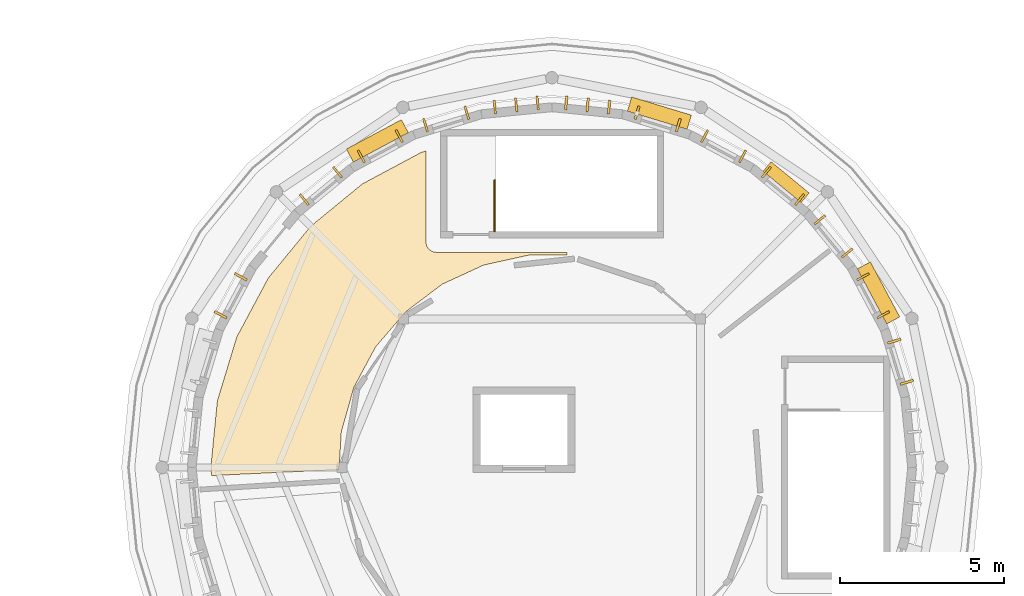
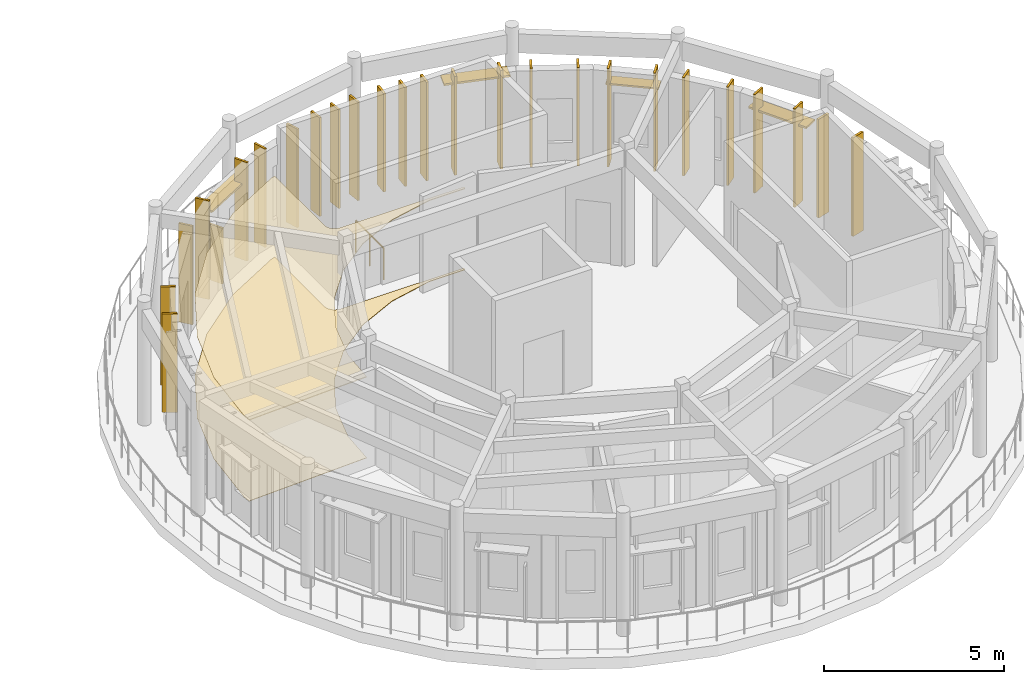
# One storey, part 37 of 37: 30 shading devices, 2 coverings, 1 railing.
"""IFC4 building model written with IfcOpenShell, lengths in metres."""

from ifc_helpers import new_model, si_unit, direction, frame, origin, origin_2d, place, context, subcontext, project, spatial, polyline, rectangle, circle, outline, extrude, material, layer, layer_set, type_object, element, save


model = new_model("IFC4")

# Units and contexts
model_context = context("Model", 3, precision=1e-05, world=origin(), true_north=direction((0.0, 1.0)))
body_context = subcontext(model_context, "Body", "Model", "MODEL_VIEW")
ifc_project = project(units=[si_unit("LENGTHUNIT", "METRE"), si_unit("AREAUNIT", "SQUARE_METRE"), si_unit("VOLUMEUNIT", "CUBIC_METRE"), si_unit("PLANEANGLEUNIT", "RADIAN"), si_unit("MASSUNIT", "GRAM", prefix="KILO")], contexts=[model_context])

# Site, building, storey
site_placement = place(None, origin())
site = spatial("IfcSite", under=ifc_project, at=site_placement, CompositionType="ELEMENT")
building_placement = place(site_placement, origin())
building = spatial("IfcBuilding", under=site, at=building_placement, Name="Aldenvaro Health Centre", CompositionType="ELEMENT")
storey_placement = place(building_placement, frame((0.0, 0.0, 12.949951171875)))
storey = spatial("IfcBuildingStorey", under=building, at=storey_placement, Name="L03", CompositionType="ELEMENT", Elevation=12.949951171875)

# Coverings
ifc_material_1 = material(Name="Hygienic Sealed Gypsum Ceiling")
ifc_layer_1 = layer(ifc_material_1, 0.02490234375, Name="Hygienic Sealed Gypsum Ceiling")
ifc_layer_set_1 = layer_set([ifc_layer_1], Name="Hygienic Sealed Gypsum Ceiling")
covering_type_1 = type_object("IfcCoveringType", Name="COV-CLG-GYP25", PredefinedType="CEILING", material=ifc_layer_set_1)
covering_1_placement = place(storey_placement, frame((0.0, 0.0, 2.75)))
element("IfcCovering", 1, at=covering_1_placement, inside=storey, type_object=covering_type_1, Name="D2-L03-R01 Suspended Ceiling", PredefinedType="CEILING", context=body_context, shape_type="SweptSolid", body=[
    extrude(outline(polyline([(153.81689453125, 105.972900390625), (153.791015625, 105.970947265625), (153.76611328125, 105.967041015625), (152.448974609375, 105.677001953125), (152.424072265625, 105.669921875), (152.39990234375, 105.660888671875), (151.175048828125, 105.094970703125), (151.152099609375, 105.0830078125), (151.131103515625, 105.069091796875), (150.055908203125, 104.2548828125), (150.035888671875, 104.238037109375), (150.01806640625, 104.219970703125), (149.14111328125, 103.194091796875), (149.1259765625, 103.174072265625), (149.112060546875, 103.152099609375), (148.47509765625, 101.962890625), (148.464111328125, 101.93994140625), (148.4560546875, 101.9150390625), (148.087890625, 100.617919921875), (148.08203125, 100.592041015625), (148.0791015625, 100.56689453125), (148.010009765625, 99.43603515625), (144.1259765625, 99.2529296875), (144.10205078125, 99.5), (144.301025390625, 101.528076171875), (144.89306640625, 103.47900390625), (145.85400390625, 105.277099609375), (147.14697265625, 106.85302734375), (148.722900390625, 108.14599609375), (150.52099609375, 109.10693359375), (150.659912109375, 109.14892578125), (150.659912109375, 106.3798828125), (150.659912109375, 106.367919921875), (150.660888671875, 106.360107421875), (150.6630859375, 106.3369140625), (150.6640625, 106.3291015625), (150.6689453125, 106.305908203125), (150.6708984375, 106.298095703125), (150.677001953125, 106.27587890625), (150.679931640625, 106.26904296875), (150.68896484375, 106.2470703125), (150.69189453125, 106.239990234375), (150.7041015625, 106.218994140625), (150.7080078125, 106.2119140625), (150.720947265625, 106.193115234375), (150.72509765625, 106.18603515625), (150.739990234375, 106.16796875), (150.74609375, 106.162109375), (150.761962890625, 106.14599609375), (150.76806640625, 106.139892578125), (150.785888671875, 106.125), (150.79296875, 106.12109375), (150.81201171875, 106.10791015625), (150.819091796875, 106.10400390625), (150.840087890625, 106.092041015625), (150.846923828125, 106.089111328125), (150.868896484375, 106.080078125), (150.8759765625, 106.076904296875), (150.89794921875, 106.071044921875), (150.906005859375, 106.069091796875), (150.928955078125, 106.06396484375), (150.93701171875, 106.06298828125), (150.9599609375, 106.06103515625), (150.968017578125, 106.06005859375), (150.97998046875, 106.06005859375), (154.9599609375, 106.06005859375), (154.950927734375, 105.97412109375), (153.81689453125, 105.972900390625)])), origin(), (0.0, 0.0, 1.0), 0.025146484375),
])
ifc_material_2 = material(Name="Seamless Homogeneous Sheet Vinyl")
ifc_layer_2 = layer(ifc_material_2, 0.013916015625, Name="Seamless Homogeneous Sheet Vinyl")
ifc_layer_set_2 = layer_set([ifc_layer_2], Name="Seamless Homogeneous Sheet Vinyl")
covering_type_2 = type_object("IfcCoveringType", Name="COV-FLR-VNL14", PredefinedType="FLOORING", material=ifc_layer_set_2)
covering_2_placement = place(storey_placement, origin())
element("IfcCovering", 2, at=covering_2_placement, inside=storey, type_object=covering_type_2, Name="D2-L03-R01 Flooring", PredefinedType="FLOORING", context=body_context, shape_type="SweptSolid", body=[
    extrude(outline(polyline([(153.81689453125, 105.972900390625), (153.791015625, 105.970947265625), (153.76611328125, 105.967041015625), (152.448974609375, 105.677001953125), (152.424072265625, 105.669921875), (152.39990234375, 105.660888671875), (151.175048828125, 105.094970703125), (151.152099609375, 105.0830078125), (151.131103515625, 105.069091796875), (150.055908203125, 104.2548828125), (150.035888671875, 104.238037109375), (150.01806640625, 104.219970703125), (149.14111328125, 103.194091796875), (149.1259765625, 103.174072265625), (149.112060546875, 103.152099609375), (148.47509765625, 101.962890625), (148.464111328125, 101.93994140625), (148.4560546875, 101.9150390625), (148.087890625, 100.617919921875), (148.08203125, 100.592041015625), (148.0791015625, 100.56689453125), (148.010009765625, 99.43603515625), (144.1259765625, 99.2529296875), (144.10205078125, 99.5), (144.301025390625, 101.528076171875), (144.89306640625, 103.47900390625), (145.85400390625, 105.277099609375), (147.14697265625, 106.85302734375), (148.722900390625, 108.14599609375), (150.52099609375, 109.10693359375), (150.659912109375, 109.14892578125), (150.659912109375, 106.3798828125), (150.659912109375, 106.367919921875), (150.660888671875, 106.360107421875), (150.6630859375, 106.3369140625), (150.6640625, 106.3291015625), (150.6689453125, 106.305908203125), (150.6708984375, 106.298095703125), (150.677001953125, 106.27587890625), (150.679931640625, 106.26904296875), (150.68896484375, 106.2470703125), (150.69189453125, 106.239990234375), (150.7041015625, 106.218994140625), (150.7080078125, 106.2119140625), (150.720947265625, 106.193115234375), (150.72509765625, 106.18603515625), (150.739990234375, 106.16796875), (150.74609375, 106.162109375), (150.761962890625, 106.14599609375), (150.76806640625, 106.139892578125), (150.785888671875, 106.125), (150.79296875, 106.12109375), (150.81201171875, 106.10791015625), (150.819091796875, 106.10400390625), (150.840087890625, 106.092041015625), (150.846923828125, 106.089111328125), (150.868896484375, 106.080078125), (150.8759765625, 106.076904296875), (150.89794921875, 106.071044921875), (150.906005859375, 106.069091796875), (150.928955078125, 106.06396484375), (150.93701171875, 106.06298828125), (150.9599609375, 106.06103515625), (150.968017578125, 106.06005859375), (150.97998046875, 106.06005859375), (154.9599609375, 106.06005859375), (154.950927734375, 105.97412109375), (153.81689453125, 105.972900390625)])), origin(), (0.0, 0.0, 1.0), 0.01416015625),
])

# Railing
ifc_material_3 = material(Name="Painted Architectural Steel", Category="steel")
railing_type = type_object("IfcRailingType", Name="RL-BAL-INT", PredefinedType="BALUSTRADE", material=ifc_material_3)
railing_placement = place(storey_placement, frame((152.75, 106.699951171875, 0.0)))
element("IfcRailing", 3, at=railing_placement, inside=storey, type_object=railing_type, Name="L03 ST-04 top well guard 1", PredefinedType="BALUSTRADE", context=body_context, shape_type="SweptSolid", body=[
    extrude(circle(Radius=0.02392578125, at=origin_2d()), frame((0.0, 0.0, 1.076171875), z_axis=(0.0, 1.0, 0.0), x_axis=(-1.0, 0.0, 0.0)), (0.0, 0.0, 1.0), 1.550048828125),
    extrude(circle(Radius=0.02099609375, at=origin_2d()), origin(), (0.0, 0.0, 1.0), 1.052001953125),
    extrude(circle(Radius=0.02099609375, at=origin_2d()), frame((0.0, 0.77490234375, 0.0)), (0.0, 0.0, 1.0), 1.052001953125),
    extrude(circle(Radius=0.02099609375, at=origin_2d()), frame((0.0, 1.550048828125, 0.0)), (0.0, 0.0, 1.0), 1.052001953125),
])

# Shading devices
ifc_material_4 = material(Name="Douglas Fir Exterior Glulam GL28h", Category="wood")
shading_device_type_1 = type_object("IfcShadingDeviceType", Name="SHD-FIN-190", PredefinedType="USERDEFINED", material=ifc_material_4)
shading_device_1_placement = place(storey_placement, frame((148.68798828125, 108.98193359375, -0.02001953125), z_axis=(0.0, 0.0, 1.0), x_axis=(0.882018256263, 0.471215232797, 0.0)))
element("IfcShadingDevice", 4, at=shading_device_1_placement, inside=storey, type_object=shading_device_type_1, Name="D2 L03 Douglas fir fin 21.1", ObjectType="FIN", PredefinedType="USERDEFINED", context=body_context, shape_type="SweptSolid", body=[
    extrude(rectangle(XDim=0.06494140625, YDim=0.419921875, at=origin_2d()), origin(), (0.0, 0.0, 1.0), 1.89990234375),
])
shading_device_type_2 = type_object("IfcShadingDeviceType", Name="SHD-FIN-340", PredefinedType="USERDEFINED", material=ifc_material_4)
for number, where, z_axis, x_axis, name in (
    (5, (157.094970703125, 110.31494140625, -0.02001953125), (0.0, 0.0, 1.0), (0.956926678266, -0.290329696075, 0.0), "D2 L03 Douglas fir fin 25.1"),
    (6, (158.35107421875, 109.93310546875, -0.02001953125), (0.0, 0.0, 1.0), (0.956926678266, -0.290329696075, 0.0), "D2 L03 Douglas fir fin 25.3"),
):
    element("IfcShadingDevice", number, at=place(storey_placement, frame(where, z_axis=z_axis, x_axis=x_axis)), inside=storey, type_object=shading_device_type_2, Name=name, ObjectType="FIN", PredefinedType="USERDEFINED", context=body_context, shape_type="SweptSolid", body=[
        extrude(rectangle(XDim=0.074951171875, YDim=0.419921875, at=origin_2d()), origin(), (0.0, 0.0, 1.0), 3.35400390625),
    ])
shading_device_type_3 = type_object("IfcShadingDeviceType", Name="SHD-FIN-380", PredefinedType="USERDEFINED", material=ifc_material_4)
for number, where, z_axis, x_axis, name in (
    (7, (144.39990234375, 104.155029296875, -0.02001953125), (0.0, 0.0, 1.0), (0.471215232797, 0.882018256263, 0.0), "D2 L03 Douglas fir fin 18.1"),
    (8, (145.01806640625, 105.31201171875, -0.02001953125), (0.0, 0.0, 1.0), (0.471215232797, 0.882018256263, 0.0), "D2 L03 Douglas fir fin 18.3"),
    (9, (154.93505859375, 110.613037109375, -0.02001953125), (0.0, 0.0, 1.0), (0.995183302886, -0.0980315952, 0.0), "D2 L03 Douglas fir fin 24.1"),
    (10, (155.587890625, 110.549072265625, -0.02001953125), (0.0, 0.0, 1.0), (0.995183302886, -0.0980315952, 0.0), "D2 L03 Douglas fir fin 24.2"),
    (11, (156.240966796875, 110.48388671875, -0.02001953125), (0.0, 0.0, 1.0), (0.995183302886, -0.0980315952, 0.0), "D2 L03 Douglas fir fin 24.3"),
    (12, (164.93310546875, 103.35107421875, -0.02001953125), (0.0, 0.0, 1.0), (0.290329696075, -0.956926678266, 0.0), "D2 L03 Douglas fir fin 30.1"),
    (13, (165.31494140625, 102.094970703125, -0.02001953125), (0.0, 0.0, 1.0), (0.290329696075, -0.956926678266, 0.0), "D2 L03 Douglas fir fin 30.3"),
):
    element("IfcShadingDevice", number, at=place(storey_placement, frame(where, z_axis=z_axis, x_axis=x_axis)), inside=storey, type_object=shading_device_type_3, Name=name, ObjectType="FIN", PredefinedType="USERDEFINED", context=body_context, shape_type="SweptSolid", body=[
        extrude(rectangle(XDim=0.074951171875, YDim=0.419921875, at=origin_2d()), origin(), (0.0, 0.0, 1.0), 3.35400390625),
    ])
shading_device_type_4 = type_object("IfcShadingDeviceType", Name="SHD-FIN-400", PredefinedType="USERDEFINED", material=ifc_material_4)
for number, where, z_axis, x_axis, name in (
    (14, (152.759033203125, 110.48388671875, -0.02001953125), (0.0, 0.0, 1.0), (0.995183302886, 0.0980315952, 0.0), "D2 L03 Douglas fir fin 23.1"),
    (15, (153.412109375, 110.549072265625, -0.02001953125), (0.0, 0.0, 1.0), (0.995183302886, 0.0980315952, 0.0), "D2 L03 Douglas fir fin 23.2"),
    (16, (154.06494140625, 110.613037109375, -0.02001953125), (0.0, 0.0, 1.0), (0.995183302886, 0.0980315952, 0.0), "D2 L03 Douglas fir fin 23.3"),
    (17, (163.98193359375, 105.31201171875, -0.02001953125), (0.0, 0.0, 1.0), (0.471215232797, -0.882018256263, 0.0), "D2 L03 Douglas fir fin 29.1"),
    (18, (164.60009765625, 104.155029296875, -0.02001953125), (0.0, 0.0, 1.0), (0.471215232797, -0.882018256263, 0.0), "D2 L03 Douglas fir fin 29.3"),
):
    element("IfcShadingDevice", number, at=place(storey_placement, frame(where, z_axis=z_axis, x_axis=x_axis)), inside=storey, type_object=shading_device_type_4, Name=name, ObjectType="FIN", PredefinedType="USERDEFINED", context=body_context, shape_type="SweptSolid", body=[
        extrude(rectangle(XDim=0.06494140625, YDim=0.419921875, at=origin_2d()), origin(), (0.0, 0.0, 1.0), 3.35400390625),
    ])
shading_device_type_5 = type_object("IfcShadingDeviceType", Name="SHD-FIN-420", PredefinedType="USERDEFINED", material=ifc_material_4)
for number, where, z_axis, x_axis, name in (
    (19, (150.64892578125, 109.93310546875, -0.02001953125), (0.0, 0.0, 1.0), (0.956926678266, 0.290329696075, 0.0), "D2 L03 Douglas fir fin 22.1"),
    (20, (151.905029296875, 110.31494140625, -0.02001953125), (0.0, 0.0, 1.0), (0.956926678266, 0.290329696075, 0.0), "D2 L03 Douglas fir fin 22.3"),
    (21, (162.666015625, 107.050048828125, -0.02001953125), (0.0, 0.0, 1.0), (0.634501661882, -0.772921497352, 0.0), "D2 L03 Douglas fir fin 28.1"),
    (22, (163.4990234375, 106.035888671875, -0.02001953125), (0.0, 0.0, 1.0), (0.634501661882, -0.772921497352, 0.0), "D2 L03 Douglas fir fin 28.3"),
):
    element("IfcShadingDevice", number, at=place(storey_placement, frame(where, z_axis=z_axis, x_axis=x_axis)), inside=storey, type_object=shading_device_type_5, Name=name, ObjectType="FIN", PredefinedType="USERDEFINED", context=body_context, shape_type="SweptSolid", body=[
        extrude(rectangle(XDim=0.06494140625, YDim=0.419921875, at=origin_2d()), origin(), (0.0, 0.0, 1.0), 3.35400390625),
    ])
shading_device_type_6 = type_object("IfcShadingDeviceType", Name="SHD-FIN-435", PredefinedType="USERDEFINED", material=ifc_material_4)
for number, where, z_axis, x_axis, name in (
    (23, (149.844970703125, 109.60009765625, -0.02001953125), (0.0, 0.0, 1.0), (0.882018256263, 0.471215232797, 0.0), "D2 L03 Douglas fir fin 21.3"),
    (24, (161.035888671875, 108.4990234375, -0.02001953125), (0.0, 0.0, 1.0), (0.772921497352, -0.634501661882, 0.0), "D2 L03 Douglas fir fin 27.1"),
    (25, (162.050048828125, 107.666015625, -0.02001953125), (0.0, 0.0, 1.0), (0.772921497352, -0.634501661882, 0.0), "D2 L03 Douglas fir fin 27.3"),
):
    element("IfcShadingDevice", number, at=place(storey_placement, frame(where, z_axis=z_axis, x_axis=x_axis)), inside=storey, type_object=shading_device_type_6, Name=name, ObjectType="FIN", PredefinedType="USERDEFINED", context=body_context, shape_type="SweptSolid", body=[
        extrude(rectangle(XDim=0.06494140625, YDim=0.419921875, at=origin_2d()), origin(), (0.0, 0.0, 1.0), 3.35400390625),
    ])
shading_device_type_7 = type_object("IfcShadingDeviceType", Name="SHD-FIN-455", PredefinedType="USERDEFINED", material=ifc_material_4)
for number, where, z_axis, x_axis, name in (
    (26, (146.949951171875, 107.666015625, -0.02001953125), (0.0, 0.0, 1.0), (0.772921497352, 0.634501661882, 0.0), "D2 L03 Douglas fir fin 20.1"),
    (27, (147.964111328125, 108.4990234375, -0.02001953125), (0.0, 0.0, 1.0), (0.772921497352, 0.634501661882, 0.0), "D2 L03 Douglas fir fin 20.3"),
    (28, (159.155029296875, 109.60009765625, -0.02001953125), (0.0, 0.0, 1.0), (0.882018256263, -0.471215232797, 0.0), "D2 L03 Douglas fir fin 26.1"),
    (29, (160.31201171875, 108.98193359375, -0.02001953125), (0.0, 0.0, 1.0), (0.882018256263, -0.471215232797, 0.0), "D2 L03 Douglas fir fin 26.3"),
):
    element("IfcShadingDevice", number, at=place(storey_placement, frame(where, z_axis=z_axis, x_axis=x_axis)), inside=storey, type_object=shading_device_type_7, Name=name, ObjectType="FIN", PredefinedType="USERDEFINED", context=body_context, shape_type="SweptSolid", body=[
        extrude(rectangle(XDim=0.06494140625, YDim=0.419921875, at=origin_2d()), origin(), (0.0, 0.0, 1.0), 3.35400390625),
    ])
shading_device_type_8 = type_object("IfcShadingDeviceType", Name="SHD-LVR-150", PredefinedType="JALOUSIE", material=ifc_material_4)
shading_device_2_placement = place(storey_placement, frame((161.637939453125, 108.197998046875, 2.65234375), z_axis=(0.0, 0.0, 1.0), x_axis=(0.772921497352, -0.634501661882, 0.0)))
element("IfcShadingDevice", 30, at=shading_device_2_placement, inside=storey, type_object=shading_device_type_8, Name="D2 L03 horizontal solar louvre 27", PredefinedType="JALOUSIE", context=body_context, shape_type="SweptSolid", body=[
    extrude(rectangle(XDim=1.5, YDim=0.3798828125, at=origin_2d()), origin(), (0.0, 0.0, 1.0), 0.054931640625),
])
shading_device_type_9 = type_object("IfcShadingDeviceType", Name="SHD-LVR-190", PredefinedType="JALOUSIE", material=ifc_material_4)
for number, where, z_axis, x_axis, name in (
    (31, (149.178955078125, 109.455078125, 2.49755859375), (0.0, 0.0, 1.0), (0.882018256263, 0.471215232797, 0.0), "D2 L03 horizontal solar louvre 21"),
    (32, (157.77587890625, 110.301025390625, 2.947509765625), (0.0, 0.0, 1.0), (0.956926678266, -0.290329696075, 0.0), "D2 L03 horizontal solar louvre 25"),
    (33, (164.455078125, 104.821044921875, 2.6474609375), (0.0, 0.0, 1.0), (0.471215232797, -0.882018256263, 0.0), "D2 L03 horizontal solar louvre 29"),
):
    element("IfcShadingDevice", number, at=place(storey_placement, frame(where, z_axis=z_axis, x_axis=x_axis)), inside=storey, type_object=shading_device_type_9, Name=name, PredefinedType="JALOUSIE", context=body_context, shape_type="SweptSolid", body=[
        extrude(rectangle(XDim=1.89990234375, YDim=0.449951171875, at=origin_2d()), origin(), (0.0, 0.0, 1.0), 0.06494140625),
    ])

save(model, "model.ifc")
